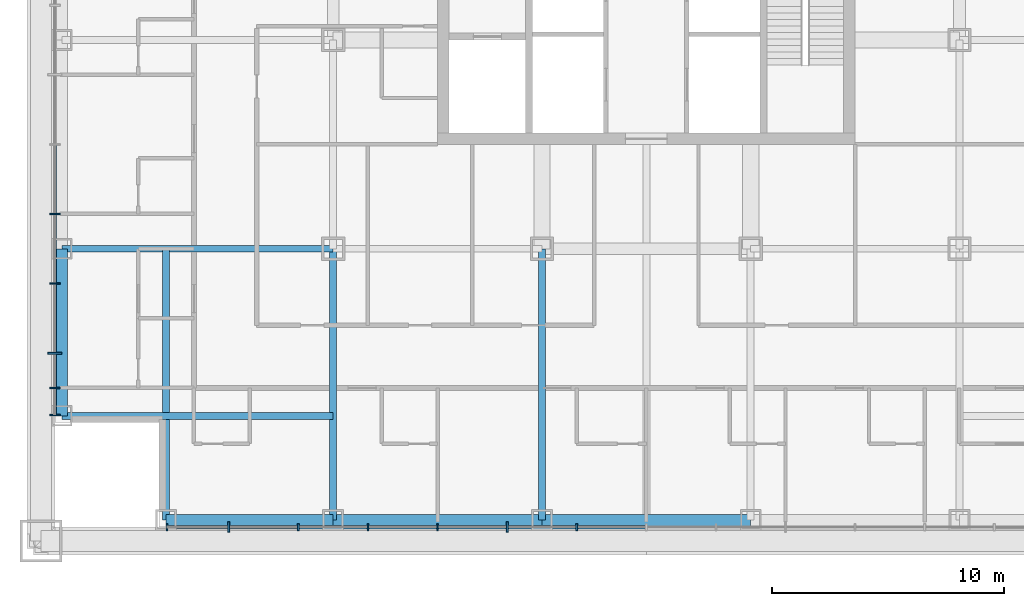
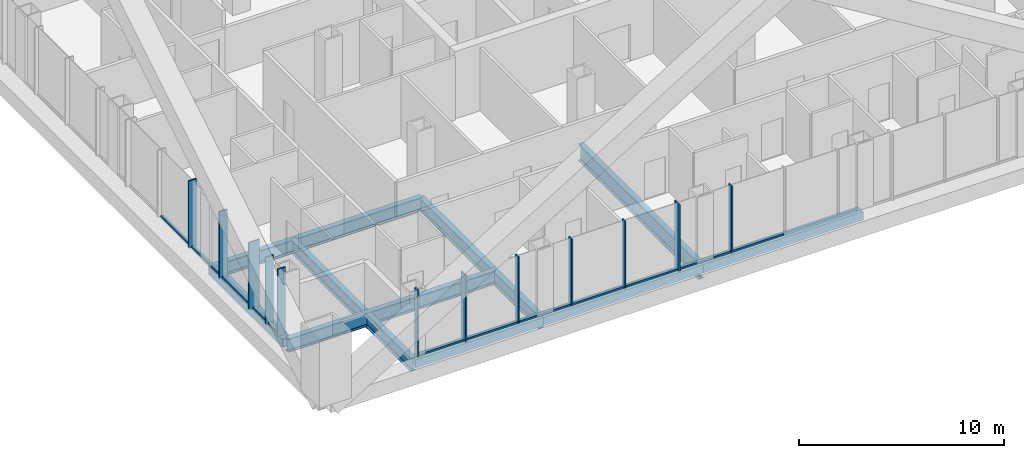
# One storey, part 2 of 21: 24 members, 9 beams, 2 elements without a shape of their own.
"""IFC4 building model written with IfcOpenShell, lengths in metres."""

from ifc_helpers import new_model, si_unit, direction, frame, origin, origin_2d, place, context, subcontext, project, spatial, rectangle, hollow_rectangle, i_section, extrude, material, layer, layer_set, material_profile, profile_set, type_object, element, aggregate, save


model = new_model("IFC4")

# Units and contexts
model_context = context("Model", 3, precision=1e-05, world=origin(), true_north=direction((0.0, 1.0)))
body_context = subcontext(model_context, "Body", "Model", "MODEL_VIEW")
ifc_project = project(units=[si_unit("LENGTHUNIT", "METRE"), si_unit("AREAUNIT", "SQUARE_METRE"), si_unit("VOLUMEUNIT", "CUBIC_METRE"), si_unit("PLANEANGLEUNIT", "RADIAN"), si_unit("MASSUNIT", "GRAM", prefix="KILO")], contexts=[model_context])

# Site, building, storey
site_placement = place(None, origin())
site = spatial("IfcSite", under=ifc_project, at=site_placement, CompositionType="ELEMENT")
building_placement = place(site_placement, origin())
building = spatial("IfcBuilding", under=site, at=building_placement, Name="Malebo Sky Hospital", CompositionType="ELEMENT")
storey_placement = place(building_placement, frame((0.0, 0.0, 31.0)))
storey = spatial("IfcBuildingStorey", under=building, at=storey_placement, Name="L06", CompositionType="ELEMENT", Elevation=31.0)

# Curtain wall, members
ifc_material_1 = material(Name="Anodised aluminium, natural silver", Category="aluminium")
ifc_layer_1 = layer(ifc_material_1, 0.25)
ifc_layer_set_1 = layer_set([ifc_layer_1], Name="WARD CURTAIN WALL EAST AND WEST")
curtain_wall_type_1 = type_object("IfcCurtainWallType", Name="WARD CURTAIN WALL EAST AND WEST", PredefinedType="NOTDEFINED", material=ifc_layer_set_1)
curtain_wall_1_placement = place(storey_placement, origin())
curtain_wall_1 = element("IfcCurtainWall", 1, at=curtain_wall_1_placement, inside=storey, type_object=curtain_wall_type_1, Name="EW curtain wall W", PredefinedType="NOTDEFINED")
ifc_material_profile_1 = material_profile(ifc_material_1, rectangle(XDim=0.14990234375, YDim=0.10009765625, at=origin_2d()), Name="ALUMINIUM TRANSOM 150x100")
ifc_profile_set_1 = profile_set([ifc_material_profile_1], Name="Anodised aluminium, natural silver")
member_type_1 = type_object("IfcMemberType", Name="ALUMINIUM TRANSOM 150x100", PredefinedType="USERDEFINED", material=ifc_profile_set_1)
member_1_placement = place(storey_placement, frame((34.5, 41.375, 0.050048828125), z_axis=(0.0, 1.0, 0.0), x_axis=(-1.0, 0.0, 0.0)))
member_1 = element("IfcMember", 2, at=member_1_placement, type_object=member_type_1, Name="Transom 1", ObjectType="TRANSOM", PredefinedType="USERDEFINED", context=body_context, shape_type="SweptSolid", body=[
    extrude(rectangle(XDim=0.14990234375, YDim=0.10009765625, at=origin_2d()), origin(), (0.0, 0.0, 1.0), 1.08740234375),
])
member_2_placement = place(storey_placement, frame((34.5, 42.53759765625, 0.050048828125), z_axis=(0.0, 1.0, 0.0), x_axis=(-1.0, 0.0, 0.0)))
member_2 = element("IfcMember", 3, at=member_2_placement, type_object=member_type_1, Name="Transom 2", ObjectType="TRANSOM", PredefinedType="USERDEFINED", context=body_context, shape_type="SweptSolid", body=[
    extrude(rectangle(XDim=0.14990234375, YDim=0.10009765625, at=origin_2d()), origin(), (0.0, 0.0, 1.0), 1.4248046875),
])
member_3_placement = place(storey_placement, frame((34.5, 44.03759765625, 0.050048828125), z_axis=(0.0, 1.0, 0.0), x_axis=(-1.0, 0.0, 0.0)))
member_3 = element("IfcMember", 4, at=member_3_placement, type_object=member_type_1, Name="Transom 3", ObjectType="TRANSOM", PredefinedType="USERDEFINED", context=body_context, shape_type="SweptSolid", body=[
    extrude(rectangle(XDim=0.14990234375, YDim=0.10009765625, at=origin_2d()), origin(), (0.0, 0.0, 1.0), 2.9248046875),
])
member_4_placement = place(storey_placement, frame((34.5, 47.03759765625, 0.050048828125), z_axis=(0.0, 1.0, 0.0), x_axis=(-1.0, 0.0, 0.0)))
member_4 = element("IfcMember", 5, at=member_4_placement, type_object=member_type_1, Name="Transom 4", ObjectType="TRANSOM", PredefinedType="USERDEFINED", context=body_context, shape_type="SweptSolid", body=[
    extrude(rectangle(XDim=0.14990234375, YDim=0.10009765625, at=origin_2d()), origin(), (0.0, 0.0, 1.0), 2.9248046875),
])
member_5_placement = place(storey_placement, frame((34.5, 50.03759765625, 0.050048828125), z_axis=(0.0, 1.0, 0.0), x_axis=(-1.0, 0.0, 0.0)))
member_5 = element("IfcMember", 6, at=member_5_placement, type_object=member_type_1, Name="Transom 5", ObjectType="TRANSOM", PredefinedType="USERDEFINED", context=body_context, shape_type="SweptSolid", body=[
    extrude(rectangle(XDim=0.14990234375, YDim=0.10009765625, at=origin_2d()), origin(), (0.0, 0.0, 1.0), 2.9248046875),
])

ifc_layer_2 = layer(ifc_material_1, 0.25)
ifc_layer_set_2 = layer_set([ifc_layer_2], Name="WARD CURTAIN WALL NORTH AND SOUTH")
curtain_wall_type_2 = type_object("IfcCurtainWallType", Name="WARD CURTAIN WALL NORTH AND SOUTH", PredefinedType="NOTDEFINED", material=ifc_layer_set_2)
curtain_wall_2_placement = place(storey_placement, origin())
curtain_wall_2 = element("IfcCurtainWall", 7, at=curtain_wall_2_placement, inside=storey, type_object=curtain_wall_type_2, Name="NS curtain wall S", PredefinedType="NOTDEFINED")
member_6_placement = place(storey_placement, frame((59.96240234375, 36.5, 0.050048828125), z_axis=(-1.0, 0.0, 0.0), x_axis=(0.0, -1.0, 0.0)))
member_6 = element("IfcMember", 8, at=member_6_placement, type_object=member_type_1, Name="Transom 9", ObjectType="TRANSOM", PredefinedType="USERDEFINED", context=body_context, shape_type="SweptSolid", body=[
    extrude(rectangle(XDim=0.14990234375, YDim=0.10009765625, at=origin_2d()), origin(), (0.0, 0.0, 1.0), 2.9248046875),
])
member_7_placement = place(storey_placement, frame((56.96240234375, 36.5, 0.050048828125), z_axis=(-1.0, 0.0, 0.0), x_axis=(0.0, -1.0, 0.0)))
member_7 = element("IfcMember", 9, at=member_7_placement, type_object=member_type_1, Name="Transom 10", ObjectType="TRANSOM", PredefinedType="USERDEFINED", context=body_context, shape_type="SweptSolid", body=[
    extrude(rectangle(XDim=0.14990234375, YDim=0.10009765625, at=origin_2d()), origin(), (0.0, 0.0, 1.0), 2.9248046875),
])
member_8_placement = place(storey_placement, frame((53.96240234375, 36.5, 0.050048828125), z_axis=(-1.0, 0.0, 0.0), x_axis=(0.0, -1.0, 0.0)))
member_8 = element("IfcMember", 10, at=member_8_placement, type_object=member_type_1, Name="Transom 11", ObjectType="TRANSOM", PredefinedType="USERDEFINED", context=body_context, shape_type="SweptSolid", body=[
    extrude(rectangle(XDim=0.14990234375, YDim=0.10009765625, at=origin_2d()), origin(), (0.0, 0.0, 1.0), 2.9248046875),
])
member_9_placement = place(storey_placement, frame((50.96240234375, 36.5, 0.050048828125), z_axis=(-1.0, 0.0, 0.0), x_axis=(0.0, -1.0, 0.0)))
member_9 = element("IfcMember", 11, at=member_9_placement, type_object=member_type_1, Name="Transom 12", ObjectType="TRANSOM", PredefinedType="USERDEFINED", context=body_context, shape_type="SweptSolid", body=[
    extrude(rectangle(XDim=0.14990234375, YDim=0.10009765625, at=origin_2d()), origin(), (0.0, 0.0, 1.0), 2.9248046875),
])
member_10_placement = place(storey_placement, frame((47.96240234375, 36.5, 0.050048828125), z_axis=(-1.0, 0.0, 0.0), x_axis=(0.0, -1.0, 0.0)))
member_10 = element("IfcMember", 12, at=member_10_placement, type_object=member_type_1, Name="Transom 13", ObjectType="TRANSOM", PredefinedType="USERDEFINED", context=body_context, shape_type="SweptSolid", body=[
    extrude(rectangle(XDim=0.14990234375, YDim=0.10009765625, at=origin_2d()), origin(), (0.0, 0.0, 1.0), 2.9248046875),
])
member_11_placement = place(storey_placement, frame((44.96240234375, 36.5, 0.050048828125), z_axis=(-1.0, 0.0, 0.0), x_axis=(0.0, -1.0, 0.0)))
member_11 = element("IfcMember", 13, at=member_11_placement, type_object=member_type_1, Name="Transom 14", ObjectType="TRANSOM", PredefinedType="USERDEFINED", context=body_context, shape_type="SweptSolid", body=[
    extrude(rectangle(XDim=0.14990234375, YDim=0.10009765625, at=origin_2d()), origin(), (0.0, 0.0, 1.0), 2.9248046875),
])
member_12_placement = place(storey_placement, frame((41.96240234375, 36.5, 0.050048828125), z_axis=(-1.0, 0.0, 0.0), x_axis=(0.0, -1.0, 0.0)))
member_12 = element("IfcMember", 14, at=member_12_placement, type_object=member_type_1, Name="Transom 15", ObjectType="TRANSOM", PredefinedType="USERDEFINED", context=body_context, shape_type="SweptSolid", body=[
    extrude(rectangle(XDim=0.14990234375, YDim=0.10009765625, at=origin_2d()), origin(), (0.0, 0.0, 1.0), 2.58740234375),
])
ifc_material_profile_2 = material_profile(ifc_material_1, rectangle(XDim=0.074951171875, YDim=0.300048828125, at=origin_2d()), Name="CW1 ALUMINIUM FIN MULLION 75x300")
ifc_profile_set_2 = profile_set([ifc_material_profile_2], Name="Anodised aluminium, natural silver")
member_type_2 = type_object("IfcMemberType", Name="CW1 ALUMINIUM FIN MULLION 75x300", PredefinedType="MULLION", material=ifc_profile_set_2)
member_13_placement = place(storey_placement, frame((57.0, 36.5, 0.0), z_axis=(0.0, 0.0, 1.0), x_axis=(-1.0, 0.0, 0.0)))
member_13 = element("IfcMember", 15, at=member_13_placement, type_object=member_type_2, Name="Fin mullion 10", PredefinedType="MULLION", context=body_context, shape_type="SweptSolid", body=[
    extrude(rectangle(XDim=0.074951171875, YDim=0.300048828125, at=origin_2d()), origin(), (0.0, 0.0, 1.0), 4.0),
])
member_14_placement = place(storey_placement, frame((51.0, 36.5, 0.0), z_axis=(0.0, 0.0, 1.0), x_axis=(-1.0, 0.0, 0.0)))
member_14 = element("IfcMember", 16, at=member_14_placement, type_object=member_type_2, Name="Fin mullion 12", PredefinedType="MULLION", context=body_context, shape_type="SweptSolid", body=[
    extrude(rectangle(XDim=0.074951171875, YDim=0.300048828125, at=origin_2d()), origin(), (0.0, 0.0, 1.0), 4.0),
])
member_15_placement = place(storey_placement, frame((48.0, 36.5, 0.0), z_axis=(0.0, 0.0, 1.0), x_axis=(-1.0, 0.0, 0.0)))
member_15 = element("IfcMember", 17, at=member_15_placement, type_object=member_type_2, Name="Fin mullion 13", PredefinedType="MULLION", context=body_context, shape_type="SweptSolid", body=[
    extrude(rectangle(XDim=0.074951171875, YDim=0.300048828125, at=origin_2d()), origin(), (0.0, 0.0, 1.0), 4.0),
])
member_16_placement = place(storey_placement, frame((45.0, 36.5, 0.0), z_axis=(0.0, 0.0, 1.0), x_axis=(-1.0, 0.0, 0.0)))
member_16 = element("IfcMember", 18, at=member_16_placement, type_object=member_type_2, Name="Fin mullion 14", PredefinedType="MULLION", context=body_context, shape_type="SweptSolid", body=[
    extrude(rectangle(XDim=0.074951171875, YDim=0.300048828125, at=origin_2d()), origin(), (0.0, 0.0, 1.0), 4.0),
])
member_17_placement = place(storey_placement, frame((39.33740234375, 36.5, 0.0), z_axis=(0.0, 0.0, 1.0), x_axis=(-1.0, 0.0, 0.0)))
member_17 = element("IfcMember", 19, at=member_17_placement, type_object=member_type_2, Name="Fin mullion 16", PredefinedType="MULLION", context=body_context, shape_type="SweptSolid", body=[
    extrude(rectangle(XDim=0.074951171875, YDim=0.300048828125, at=origin_2d()), origin(), (0.0, 0.0, 1.0), 4.0),
])
ifc_material_profile_3 = material_profile(ifc_material_1, rectangle(XDim=0.074951171875, YDim=0.449951171875, at=origin_2d()), Name="CW1 ALUMINIUM FIN MULLION 75x450")
ifc_profile_set_3 = profile_set([ifc_material_profile_3], Name="Anodised aluminium, natural silver")
member_type_3 = type_object("IfcMemberType", Name="CW1 ALUMINIUM FIN MULLION 75x450", PredefinedType="MULLION", material=ifc_profile_set_3)
member_18_placement = place(storey_placement, frame((54.0, 36.5, 0.0), z_axis=(0.0, 0.0, 1.0), x_axis=(-1.0, 0.0, 0.0)))
member_18 = element("IfcMember", 20, at=member_18_placement, type_object=member_type_3, Name="Fin mullion 11", PredefinedType="MULLION", context=body_context, shape_type="SweptSolid", body=[
    extrude(rectangle(XDim=0.074951171875, YDim=0.449951171875, at=origin_2d()), origin(), (0.0, 0.0, 1.0), 4.0),
])
member_19_placement = place(storey_placement, frame((42.0, 36.5, 0.0), z_axis=(0.0, 0.0, 1.0), x_axis=(-1.0, 0.0, 0.0)))
member_19 = element("IfcMember", 21, at=member_19_placement, type_object=member_type_3, Name="Fin mullion 15", PredefinedType="MULLION", context=body_context, shape_type="SweptSolid", body=[
    extrude(rectangle(XDim=0.074951171875, YDim=0.449951171875, at=origin_2d()), origin(), (0.0, 0.0, 1.0), 4.0),
])
aggregate(curtain_wall_2, [member_13, member_18, member_14, member_15, member_16, member_19, member_17, member_6, member_7, member_8, member_9, member_10, member_11, member_12])

# Member
ifc_material_profile_4 = material_profile(ifc_material_1, rectangle(XDim=0.074951171875, YDim=0.449951171875, at=origin_2d()), Name="CW2 ALUMINIUM FIN MULLION 75x450")
ifc_profile_set_4 = profile_set([ifc_material_profile_4], Name="Anodised aluminium, natural silver")
member_type_4 = type_object("IfcMemberType", Name="CW2 ALUMINIUM FIN MULLION 75x450", PredefinedType="MULLION", material=ifc_profile_set_4)
member_20_placement = place(storey_placement, frame((34.5, 41.33740234375, 0.0), z_axis=(0.0, 0.0, 1.0), x_axis=(0.0, 1.0, 0.0)))
member_20 = element("IfcMember", 22, at=member_20_placement, type_object=member_type_4, Name="Fin mullion 1", PredefinedType="MULLION", context=body_context, shape_type="SweptSolid", body=[
    extrude(rectangle(XDim=0.074951171875, YDim=0.449951171875, at=origin_2d()), origin(), (0.0, 0.0, 1.0), 4.0),
])

member_21_placement = place(storey_placement, frame((34.5, 42.5, 0.0), z_axis=(0.0, 0.0, 1.0), x_axis=(0.0, 1.0, 0.0)))
member_21 = element("IfcMember", 23, at=member_21_placement, type_object=member_type_4, Name="Fin mullion 2", PredefinedType="MULLION", context=body_context, shape_type="SweptSolid", body=[
    extrude(rectangle(XDim=0.074951171875, YDim=0.449951171875, at=origin_2d()), origin(), (0.0, 0.0, 1.0), 4.0),
])

member_22_placement = place(storey_placement, frame((34.5, 47.0, 0.0), z_axis=(0.0, 0.0, 1.0), x_axis=(0.0, 1.0, 0.0)))
member_22 = element("IfcMember", 24, at=member_22_placement, type_object=member_type_4, Name="Fin mullion 4", PredefinedType="MULLION", context=body_context, shape_type="SweptSolid", body=[
    extrude(rectangle(XDim=0.074951171875, YDim=0.449951171875, at=origin_2d()), origin(), (0.0, 0.0, 1.0), 4.0),
])

member_23_placement = place(storey_placement, frame((34.5, 50.0, 0.0), z_axis=(0.0, 0.0, 1.0), x_axis=(0.0, 1.0, 0.0)))
member_23 = element("IfcMember", 25, at=member_23_placement, type_object=member_type_4, Name="Fin mullion 5", PredefinedType="MULLION", context=body_context, shape_type="SweptSolid", body=[
    extrude(rectangle(XDim=0.074951171875, YDim=0.449951171875, at=origin_2d()), origin(), (0.0, 0.0, 1.0), 4.0),
])

ifc_material_profile_5 = material_profile(ifc_material_1, rectangle(XDim=0.074951171875, YDim=0.60009765625, at=origin_2d()), Name="CW2 ALUMINIUM FIN MULLION 75x600")
ifc_profile_set_5 = profile_set([ifc_material_profile_5], Name="Anodised aluminium, natural silver")
member_type_5 = type_object("IfcMemberType", Name="CW2 ALUMINIUM FIN MULLION 75x600", PredefinedType="MULLION", material=ifc_profile_set_5)
member_24_placement = place(storey_placement, frame((34.5, 44.0, 0.0), z_axis=(0.0, 0.0, 1.0), x_axis=(0.0, 1.0, 0.0)))
member_24 = element("IfcMember", 26, at=member_24_placement, type_object=member_type_5, Name="Fin mullion 3", PredefinedType="MULLION", context=body_context, shape_type="SweptSolid", body=[
    extrude(rectangle(XDim=0.074951171875, YDim=0.60009765625, at=origin_2d()), origin(), (0.0, 0.0, 1.0), 4.0),
])

aggregate(curtain_wall_1, [member_20, member_21, member_24, member_22, member_23, member_1, member_2, member_3, member_4, member_5])

# Beams
ifc_material_2 = material(Name="Steel S460", Category="steel")
ifc_material_profile_6 = material_profile(ifc_material_2, hollow_rectangle(XDim=0.5, YDim=0.5, WallThickness=0.030029296875, at=origin_2d()), Name="BOX 500x500x30")
ifc_profile_set_6 = profile_set([ifc_material_profile_6], Name="Steel S460")
beam_type_1 = type_object("IfcBeamType", Name="EDGE BEAM BOX 500x500x30", PredefinedType="BEAM", material=ifc_profile_set_6)
for number, where, z_axis, x_axis, name in (
    (27, (34.800048828125, 41.300048828125, -0.5), (0.0, 1.0, 0.0), (-1.0, 0.0, 0.0), "Beam 000 L06"),
    (28, (39.300048828125, 36.800048828125, -0.5), (1.0, 0.0, 0.0), (0.0, 1.0, 0.0), "Beam 034 L06"),
):
    element("IfcBeam", number, at=place(storey_placement, frame(where, z_axis=z_axis, x_axis=x_axis)), inside=storey, type_object=beam_type_1, Name=name, PredefinedType="BEAM", context=body_context, shape_type="SweptSolid", body=[
        extrude(hollow_rectangle(XDim=0.5, YDim=0.5, WallThickness=0.030029296875, at=origin_2d()), origin(), (0.0, 0.0, 1.0), 7.199951171875),
    ])
for number, where, z_axis, x_axis, name in (
    (29, (46.5, 36.800048828125, -0.5), (1.0, 0.0, 0.0), (0.0, 1.0, 0.0), "Beam 035 L06"),
    (30, (55.5, 36.800048828125, -0.5), (1.0, 0.0, 0.0), (0.0, 1.0, 0.0), "Beam 036 L06"),
):
    element("IfcBeam", number, at=place(storey_placement, frame(where, z_axis=z_axis, x_axis=x_axis)), inside=storey, type_object=beam_type_1, Name=name, PredefinedType="BEAM", context=body_context, shape_type="SweptSolid", body=[
        extrude(hollow_rectangle(XDim=0.5, YDim=0.5, WallThickness=0.030029296875, at=origin_2d()), origin(), (0.0, 0.0, 1.0), 9.0),
    ])
ifc_material_3 = material(Name="Steel S355", Category="steel")
ifc_material_profile_7 = material_profile(ifc_material_3, i_section(OverallWidth=0.300048828125, OverallDepth=1.0, WebThickness=0.01904296875, FlangeThickness=0.035888671875, FilletRadius=0.030029296875, at=origin_2d()), Name="HEB 1000")
ifc_profile_set_7 = profile_set([ifc_material_profile_7], Name="Steel S355")
beam_type_2 = type_object("IfcBeamType", Name="FLOOR BEAM HEB 1000", PredefinedType="BEAM", material=ifc_profile_set_7)
beam_placement = place(storey_placement, frame((55.5, 36.800048828125, -0.75), z_axis=(0.0, 1.0, 0.0), x_axis=(-1.0, 0.0, 0.0)))
element("IfcBeam", 31, at=beam_placement, inside=storey, type_object=beam_type_2, Name="Beam 012 L06", PredefinedType="BEAM", context=body_context, shape_type="SweptSolid", body=[
    extrude(i_section(OverallWidth=0.300048828125, OverallDepth=1.0, WebThickness=0.01904296875, FlangeThickness=0.035888671875, FilletRadius=0.030029296875, at=origin_2d()), origin(), (0.0, 0.0, 1.0), 11.699951171875),
])
ifc_material_profile_8 = material_profile(ifc_material_3, i_section(OverallWidth=0.300048828125, OverallDepth=0.800048828125, WebThickness=0.017578125, FlangeThickness=0.032958984375, FilletRadius=0.030029296875, at=origin_2d()), Name="HEB 800")
ifc_profile_set_8 = profile_set([ifc_material_profile_8], Name="Steel S355")
beam_type_3 = type_object("IfcBeamType", Name="FLOOR BEAM HEB 800", PredefinedType="BEAM", material=ifc_profile_set_8)
for number, where, z_axis, x_axis, name in (
    (32, (39.300048828125, 36.800048828125, -0.64990234375), (0.0, 1.0, 0.0), (-1.0, 0.0, 0.0), "Beam 005 L06"),
    (33, (34.800048828125, 41.300048828125, -0.64990234375), (1.0, 0.0, 0.0), (0.0, 1.0, 0.0), "Beam 039 L06"),
):
    element("IfcBeam", number, at=place(storey_placement, frame(where, z_axis=z_axis, x_axis=x_axis)), inside=storey, type_object=beam_type_3, Name=name, PredefinedType="BEAM", context=body_context, shape_type="SweptSolid", body=[
        extrude(i_section(OverallWidth=0.300048828125, OverallDepth=0.800048828125, WebThickness=0.017578125, FlangeThickness=0.032958984375, FilletRadius=0.030029296875, at=origin_2d()), origin(), (0.0, 0.0, 1.0), 11.699951171875),
    ])
ifc_material_profile_9 = material_profile(ifc_material_3, i_section(OverallWidth=0.300048828125, OverallDepth=0.800048828125, WebThickness=0.017578125, FlangeThickness=0.032958984375, FilletRadius=0.030029296875, at=origin_2d()), Name="HEB 800")
ifc_profile_set_9 = profile_set([ifc_material_profile_9], Name="Steel S355")
beam_type_4 = type_object("IfcBeamType", Name="FLOOR GIRDER HEB 800", PredefinedType="BEAM", material=ifc_profile_set_9)
for number, where, z_axis, x_axis, name in (
    (34, (46.5, 36.800048828125, -0.64990234375), (0.0, 1.0, 0.0), (-1.0, 0.0, 0.0), "Beam 007 L06"),
    (35, (34.800048828125, 48.5, -0.64990234375), (1.0, 0.0, 0.0), (0.0, 1.0, 0.0), "Beam 041 L06"),
):
    element("IfcBeam", number, at=place(storey_placement, frame(where, z_axis=z_axis, x_axis=x_axis)), inside=storey, type_object=beam_type_4, Name=name, PredefinedType="BEAM", context=body_context, shape_type="SweptSolid", body=[
        extrude(i_section(OverallWidth=0.300048828125, OverallDepth=0.800048828125, WebThickness=0.017578125, FlangeThickness=0.032958984375, FilletRadius=0.030029296875, at=origin_2d()), origin(), (0.0, 0.0, 1.0), 11.699951171875),
    ])

save(model, "model.ifc")
